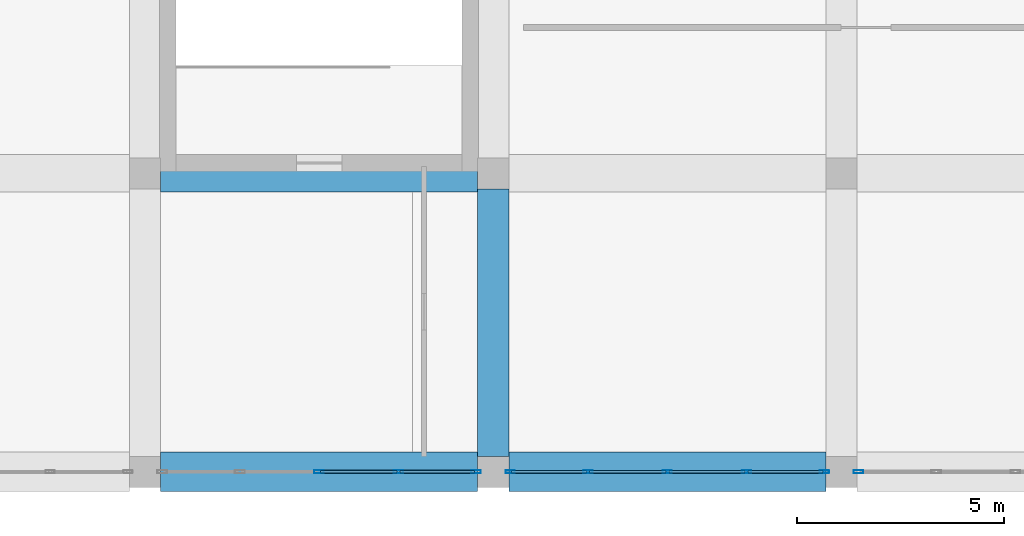
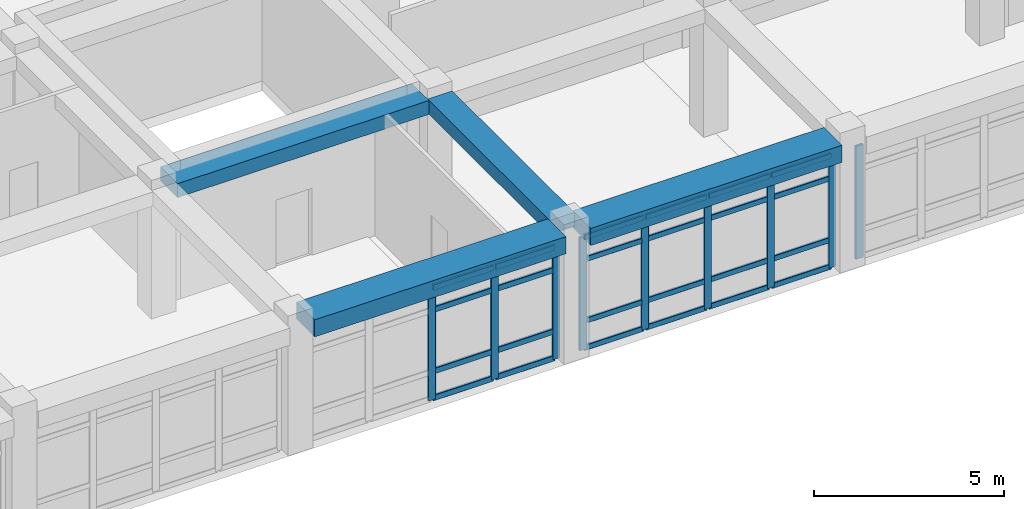
# One storey, part 17 of 121: 33 members, 4 beams, 3 elements without a shape of their own.
"""IFC4 building model written with IfcOpenShell, lengths in metres."""

from ifc_helpers import new_model, si_unit, derived_unit, direction, frame, origin, origin_2d, place, context, subcontext, project, spatial, rectangle, hollow_rectangle, extrude, material, material_profile, profile_set, type_object, element, aggregate, save


model = new_model("IFC4")

# Units and contexts
model_context = context("Model", 3, precision=1e-05, world=origin(), true_north=direction((0.0, 1.0)))
body_context = subcontext(model_context, "Body", "Model", "MODEL_VIEW")
ifc_project = project(units=[si_unit("LENGTHUNIT", "METRE"), si_unit("AREAUNIT", "SQUARE_METRE"), si_unit("VOLUMEUNIT", "CUBIC_METRE"), si_unit("PLANEANGLEUNIT", "RADIAN"), si_unit("MASSUNIT", "GRAM", prefix="KILO"), derived_unit("THERMALTRANSMITTANCEUNIT", [(si_unit("POWERUNIT", "WATT"), 1), (si_unit("LENGTHUNIT", "METRE"), -2), (si_unit("THERMODYNAMICTEMPERATUREUNIT", "KELVIN"), -1)])], contexts=[model_context])

# Site, building, storey
site_placement = place(None, origin())
site = spatial("IfcSite", under=ifc_project, at=site_placement, CompositionType="ELEMENT")
building_placement = place(site_placement, origin())
building = spatial("IfcBuilding", under=site, at=building_placement, Name="Veybourne Emporium", CompositionType="ELEMENT")
storey_placement = place(building_placement, frame((0.0, 0.0, 5.39990234375)))
storey = spatial("IfcBuildingStorey", under=building, at=storey_placement, Name="L01", CompositionType="ELEMENT", Elevation=5.39990234375)

# Curtain wall, members
ifc_material_1 = material(Name="Patinated Architectural Bronze", Category="bronze")
curtain_wall_type_1 = type_object("IfcCurtainWallType", Name="CWSystem_CWS-17", PredefinedType="NOTDEFINED", material=ifc_material_1)
curtain_wall_1_placement = place(storey_placement, origin())
curtain_wall_1 = element("IfcCurtainWall", 1, at=curtain_wall_1_placement, inside=storey, type_object=curtain_wall_type_1, Name="L01 bronze glazed curtain wall CWS-17 (043)", PredefinedType="NOTDEFINED")
ifc_material_profile_1 = material_profile(ifc_material_1, hollow_rectangle(XDim=0.072021484375, YDim=0.22509765625, WallThickness=0.0048828125, InnerFilletRadius=0.007568359375, OuterFilletRadius=0.012451171875, at=origin_2d()), Name="CWM 72x225x5")
ifc_profile_set_1 = profile_set([ifc_material_profile_1], Name="Patinated Architectural Bronze")
member_type_1 = type_object("IfcMemberType", Name="CWMullion_CW-M1", PredefinedType="MULLION", material=ifc_profile_set_1)
member_1_placement = place(storey_placement, frame((91.989013671875, 0.0, 0.0), z_axis=(0.0, 0.0, 1.0), x_axis=(0.0, -1.0, 0.0)))
member_1 = element("IfcMember", 2, at=member_1_placement, type_object=member_type_1, Name="CWS-17 mullion 1", PredefinedType="MULLION", context=body_context, shape_type="SweptSolid", body=[
    extrude(hollow_rectangle(XDim=0.072021484375, YDim=0.22509765625, WallThickness=0.0048828125, InnerFilletRadius=0.007568359375, OuterFilletRadius=0.012451171875, at=origin_2d()), origin(), (0.0, 0.0, 1.0), 3.630126953125),
])
member_2_placement = place(storey_placement, frame((90.112548828125, 0.0, 0.0), z_axis=(0.0, 0.0, 1.0), x_axis=(0.0, -1.0, 0.0)))
member_2 = element("IfcMember", 3, at=member_2_placement, type_object=member_type_1, Name="CWS-17 mullion 2", PredefinedType="MULLION", context=body_context, shape_type="SweptSolid", body=[
    extrude(hollow_rectangle(XDim=0.072021484375, YDim=0.22509765625, WallThickness=0.0048828125, InnerFilletRadius=0.007568359375, OuterFilletRadius=0.012451171875, at=origin_2d()), origin(), (0.0, 0.0, 1.0), 3.630126953125),
])
member_3_placement = place(storey_placement, frame((88.199951171875, 0.0, 0.0), z_axis=(0.0, 0.0, 1.0), x_axis=(0.0, -1.0, 0.0)))
member_3 = element("IfcMember", 4, at=member_3_placement, type_object=member_type_1, Name="CWS-17 mullion 3", PredefinedType="MULLION", context=body_context, shape_type="SweptSolid", body=[
    extrude(hollow_rectangle(XDim=0.072021484375, YDim=0.22509765625, WallThickness=0.0048828125, InnerFilletRadius=0.007568359375, OuterFilletRadius=0.012451171875, at=origin_2d()), origin(), (0.0, 0.0, 1.0), 3.630126953125),
])
member_4_placement = place(storey_placement, frame((86.28759765625, 0.0, 0.0), z_axis=(0.0, 0.0, 1.0), x_axis=(0.0, -1.0, 0.0)))
member_4 = element("IfcMember", 5, at=member_4_placement, type_object=member_type_1, Name="CWS-17 mullion 4", PredefinedType="MULLION", context=body_context, shape_type="SweptSolid", body=[
    extrude(hollow_rectangle(XDim=0.072021484375, YDim=0.22509765625, WallThickness=0.0048828125, InnerFilletRadius=0.007568359375, OuterFilletRadius=0.012451171875, at=origin_2d()), origin(), (0.0, 0.0, 1.0), 3.630126953125),
])
member_5_placement = place(storey_placement, frame((84.410888671875, 0.0, 0.0), z_axis=(0.0, 0.0, 1.0), x_axis=(0.0, -1.0, 0.0)))
member_5 = element("IfcMember", 6, at=member_5_placement, type_object=member_type_1, Name="CWS-17 mullion 5", PredefinedType="MULLION", context=body_context, shape_type="SweptSolid", body=[
    extrude(hollow_rectangle(XDim=0.072021484375, YDim=0.22509765625, WallThickness=0.0048828125, InnerFilletRadius=0.007568359375, OuterFilletRadius=0.012451171875, at=origin_2d()), origin(), (0.0, 0.0, 1.0), 3.630126953125),
])

curtain_wall_type_2 = type_object("IfcCurtainWallType", Name="CWSystem_CWS-15", PredefinedType="NOTDEFINED", material=ifc_material_1)
curtain_wall_2_placement = place(storey_placement, origin())
curtain_wall_2 = element("IfcCurtainWall", 7, at=curtain_wall_2_placement, inside=storey, type_object=curtain_wall_type_2, Name="L01 bronze glazed curtain wall CWS-15 (041)", PredefinedType="NOTDEFINED")
ifc_material_profile_2 = material_profile(ifc_material_1, hollow_rectangle(XDim=0.077880859375, YDim=0.235107421875, WallThickness=0.0048828125, InnerFilletRadius=0.007568359375, OuterFilletRadius=0.012451171875, at=origin_2d()), Name="CWM 78x235x5")
ifc_profile_set_2 = profile_set([ifc_material_profile_2], Name="Patinated Architectural Bronze")
member_type_2 = type_object("IfcMemberType", Name="CWMullion_CW-M3", PredefinedType="MULLION", material=ifc_profile_set_2)
member_6_placement = place(storey_placement, frame((83.5859375, 0.0, 0.0), z_axis=(0.0, 0.0, 1.0), x_axis=(0.0, -1.0, 0.0)))
member_6 = element("IfcMember", 8, at=member_6_placement, type_object=member_type_2, Name="CWS-15 mullion 1", PredefinedType="MULLION", context=body_context, shape_type="SweptSolid", body=[
    extrude(hollow_rectangle(XDim=0.077880859375, YDim=0.235107421875, WallThickness=0.0048828125, InnerFilletRadius=0.007568359375, OuterFilletRadius=0.012451171875, at=origin_2d()), origin(), (0.0, 0.0, 1.0), 3.630126953125),
])
member_7_placement = place(storey_placement, frame((81.71240234375, 0.0, 0.0), z_axis=(0.0, 0.0, 1.0), x_axis=(0.0, -1.0, 0.0)))
member_7 = element("IfcMember", 9, at=member_7_placement, type_object=member_type_2, Name="CWS-15 mullion 2", PredefinedType="MULLION", context=body_context, shape_type="SweptSolid", body=[
    extrude(hollow_rectangle(XDim=0.077880859375, YDim=0.235107421875, WallThickness=0.0048828125, InnerFilletRadius=0.007568359375, OuterFilletRadius=0.012451171875, at=origin_2d()), origin(), (0.0, 0.0, 1.0), 3.630126953125),
])
member_8_placement = place(storey_placement, frame((79.800048828125, 0.0, 0.0), z_axis=(0.0, 0.0, 1.0), x_axis=(0.0, -1.0, 0.0)))
member_8 = element("IfcMember", 10, at=member_8_placement, type_object=member_type_2, Name="CWS-15 mullion 3", PredefinedType="MULLION", context=body_context, shape_type="SweptSolid", body=[
    extrude(hollow_rectangle(XDim=0.077880859375, YDim=0.235107421875, WallThickness=0.0048828125, InnerFilletRadius=0.007568359375, OuterFilletRadius=0.012451171875, at=origin_2d()), origin(), (0.0, 0.0, 1.0), 3.630126953125),
])

# Curtain wall, member
curtain_wall_type_3 = type_object("IfcCurtainWallType", Name="CWSystem_CWS-19", PredefinedType="NOTDEFINED", material=ifc_material_1)
curtain_wall_3_placement = place(storey_placement, origin())
curtain_wall_3 = element("IfcCurtainWall", 11, at=curtain_wall_3_placement, inside=storey, type_object=curtain_wall_type_3, Name="L01 bronze glazed curtain wall CWS-19 (046)", PredefinedType="NOTDEFINED")
member_9_placement = place(storey_placement, frame((92.81396484375, 0.0, 0.0), z_axis=(0.0, 0.0, 1.0), x_axis=(0.0, -1.0, 0.0)))
member_9 = element("IfcMember", 12, at=member_9_placement, type_object=member_type_2, Name="CWS-19 mullion 5", PredefinedType="MULLION", context=body_context, shape_type="SweptSolid", body=[
    extrude(hollow_rectangle(XDim=0.077880859375, YDim=0.235107421875, WallThickness=0.0048828125, InnerFilletRadius=0.007568359375, OuterFilletRadius=0.012451171875, at=origin_2d()), origin(), (0.0, 0.0, 1.0), 3.630126953125),
])
aggregate(curtain_wall_3, [member_9])

# Member
ifc_material_profile_3 = material_profile(ifc_material_1, hollow_rectangle(XDim=0.072021484375, YDim=0.175048828125, WallThickness=0.0048828125, InnerFilletRadius=0.007568359375, OuterFilletRadius=0.012451171875, at=origin_2d()), Name="CWT 72x175x5")
ifc_profile_set_3 = profile_set([ifc_material_profile_3], Name="Patinated Architectural Bronze")
member_type_3 = type_object("IfcMemberType", Name="CWTransom_CW-T1", PredefinedType="NOTDEFINED", material=ifc_profile_set_3)
member_10_placement = place(storey_placement, frame((91.952880859375, 0.0, 0.0361328125), z_axis=(-1.0, 0.0, 0.0), x_axis=(0.0, -1.0, 0.0)))
member_10 = element("IfcMember", 13, at=member_10_placement, type_object=member_type_3, Name="CWS-17 transom 1.1", ObjectType="TRANSOM", PredefinedType="USERDEFINED", context=body_context, shape_type="SweptSolid", body=[
    extrude(hollow_rectangle(XDim=0.072021484375, YDim=0.175048828125, WallThickness=0.0048828125, InnerFilletRadius=0.007568359375, OuterFilletRadius=0.012451171875, at=origin_2d()), origin(), (0.0, 0.0, 1.0), 1.804443359375),
])

member_11_placement = place(storey_placement, frame((91.952880859375, 0.0, 0.900146484375), z_axis=(-1.0, 0.0, 0.0), x_axis=(0.0, -1.0, 0.0)))
member_11 = element("IfcMember", 14, at=member_11_placement, type_object=member_type_3, Name="CWS-17 transom 1.2", ObjectType="TRANSOM", PredefinedType="USERDEFINED", context=body_context, shape_type="SweptSolid", body=[
    extrude(hollow_rectangle(XDim=0.072021484375, YDim=0.175048828125, WallThickness=0.0048828125, InnerFilletRadius=0.007568359375, OuterFilletRadius=0.012451171875, at=origin_2d()), origin(), (0.0, 0.0, 1.0), 1.804443359375),
])

member_12_placement = place(storey_placement, frame((91.952880859375, 0.0, 2.880126953125), z_axis=(-1.0, 0.0, 0.0), x_axis=(0.0, -1.0, 0.0)))
member_12 = element("IfcMember", 15, at=member_12_placement, type_object=member_type_3, Name="CWS-17 transom 1.3", ObjectType="TRANSOM", PredefinedType="USERDEFINED", context=body_context, shape_type="SweptSolid", body=[
    extrude(hollow_rectangle(XDim=0.072021484375, YDim=0.175048828125, WallThickness=0.0048828125, InnerFilletRadius=0.007568359375, OuterFilletRadius=0.012451171875, at=origin_2d()), origin(), (0.0, 0.0, 1.0), 1.804443359375),
])

member_13_placement = place(storey_placement, frame((91.952880859375, 0.0, 3.593994140625), z_axis=(-1.0, 0.0, 0.0), x_axis=(0.0, -1.0, 0.0)))
member_13 = element("IfcMember", 16, at=member_13_placement, type_object=member_type_3, Name="CWS-17 transom 1.4", ObjectType="TRANSOM", PredefinedType="USERDEFINED", context=body_context, shape_type="SweptSolid", body=[
    extrude(hollow_rectangle(XDim=0.072021484375, YDim=0.175048828125, WallThickness=0.0048828125, InnerFilletRadius=0.007568359375, OuterFilletRadius=0.012451171875, at=origin_2d()), origin(), (0.0, 0.0, 1.0), 1.804443359375),
])

member_14_placement = place(storey_placement, frame((90.076416015625, 0.0, 0.0361328125), z_axis=(-1.0, 0.0, 0.0), x_axis=(0.0, -1.0, 0.0)))
member_14 = element("IfcMember", 17, at=member_14_placement, type_object=member_type_3, Name="CWS-17 transom 2.1", ObjectType="TRANSOM", PredefinedType="USERDEFINED", context=body_context, shape_type="SweptSolid", body=[
    extrude(hollow_rectangle(XDim=0.072021484375, YDim=0.175048828125, WallThickness=0.0048828125, InnerFilletRadius=0.007568359375, OuterFilletRadius=0.012451171875, at=origin_2d()), origin(), (0.0, 0.0, 1.0), 1.84033203125),
])

member_15_placement = place(storey_placement, frame((90.076416015625, 0.0, 0.900146484375), z_axis=(-1.0, 0.0, 0.0), x_axis=(0.0, -1.0, 0.0)))
member_15 = element("IfcMember", 18, at=member_15_placement, type_object=member_type_3, Name="CWS-17 transom 2.2", ObjectType="TRANSOM", PredefinedType="USERDEFINED", context=body_context, shape_type="SweptSolid", body=[
    extrude(hollow_rectangle(XDim=0.072021484375, YDim=0.175048828125, WallThickness=0.0048828125, InnerFilletRadius=0.007568359375, OuterFilletRadius=0.012451171875, at=origin_2d()), origin(), (0.0, 0.0, 1.0), 1.84033203125),
])

member_16_placement = place(storey_placement, frame((90.076416015625, 0.0, 2.880126953125), z_axis=(-1.0, 0.0, 0.0), x_axis=(0.0, -1.0, 0.0)))
member_16 = element("IfcMember", 19, at=member_16_placement, type_object=member_type_3, Name="CWS-17 transom 2.3", ObjectType="TRANSOM", PredefinedType="USERDEFINED", context=body_context, shape_type="SweptSolid", body=[
    extrude(hollow_rectangle(XDim=0.072021484375, YDim=0.175048828125, WallThickness=0.0048828125, InnerFilletRadius=0.007568359375, OuterFilletRadius=0.012451171875, at=origin_2d()), origin(), (0.0, 0.0, 1.0), 1.84033203125),
])

member_17_placement = place(storey_placement, frame((90.076416015625, 0.0, 3.593994140625), z_axis=(-1.0, 0.0, 0.0), x_axis=(0.0, -1.0, 0.0)))
member_17 = element("IfcMember", 20, at=member_17_placement, type_object=member_type_3, Name="CWS-17 transom 2.4", ObjectType="TRANSOM", PredefinedType="USERDEFINED", context=body_context, shape_type="SweptSolid", body=[
    extrude(hollow_rectangle(XDim=0.072021484375, YDim=0.175048828125, WallThickness=0.0048828125, InnerFilletRadius=0.007568359375, OuterFilletRadius=0.012451171875, at=origin_2d()), origin(), (0.0, 0.0, 1.0), 1.84033203125),
])

member_18_placement = place(storey_placement, frame((88.1640625, 0.0, 0.0361328125), z_axis=(-1.0, 0.0, 0.0), x_axis=(0.0, -1.0, 0.0)))
member_18 = element("IfcMember", 21, at=member_18_placement, type_object=member_type_3, Name="CWS-17 transom 3.1", ObjectType="TRANSOM", PredefinedType="USERDEFINED", context=body_context, shape_type="SweptSolid", body=[
    extrude(hollow_rectangle(XDim=0.072021484375, YDim=0.175048828125, WallThickness=0.0048828125, InnerFilletRadius=0.007568359375, OuterFilletRadius=0.012451171875, at=origin_2d()), origin(), (0.0, 0.0, 1.0), 1.840576171875),
])

member_19_placement = place(storey_placement, frame((88.1640625, 0.0, 0.900146484375), z_axis=(-1.0, 0.0, 0.0), x_axis=(0.0, -1.0, 0.0)))
member_19 = element("IfcMember", 22, at=member_19_placement, type_object=member_type_3, Name="CWS-17 transom 3.2", ObjectType="TRANSOM", PredefinedType="USERDEFINED", context=body_context, shape_type="SweptSolid", body=[
    extrude(hollow_rectangle(XDim=0.072021484375, YDim=0.175048828125, WallThickness=0.0048828125, InnerFilletRadius=0.007568359375, OuterFilletRadius=0.012451171875, at=origin_2d()), origin(), (0.0, 0.0, 1.0), 1.840576171875),
])

member_20_placement = place(storey_placement, frame((88.1640625, 0.0, 2.880126953125), z_axis=(-1.0, 0.0, 0.0), x_axis=(0.0, -1.0, 0.0)))
member_20 = element("IfcMember", 23, at=member_20_placement, type_object=member_type_3, Name="CWS-17 transom 3.3", ObjectType="TRANSOM", PredefinedType="USERDEFINED", context=body_context, shape_type="SweptSolid", body=[
    extrude(hollow_rectangle(XDim=0.072021484375, YDim=0.175048828125, WallThickness=0.0048828125, InnerFilletRadius=0.007568359375, OuterFilletRadius=0.012451171875, at=origin_2d()), origin(), (0.0, 0.0, 1.0), 1.840576171875),
])

member_21_placement = place(storey_placement, frame((88.1640625, 0.0, 3.593994140625), z_axis=(-1.0, 0.0, 0.0), x_axis=(0.0, -1.0, 0.0)))
member_21 = element("IfcMember", 24, at=member_21_placement, type_object=member_type_3, Name="CWS-17 transom 3.4", ObjectType="TRANSOM", PredefinedType="USERDEFINED", context=body_context, shape_type="SweptSolid", body=[
    extrude(hollow_rectangle(XDim=0.072021484375, YDim=0.175048828125, WallThickness=0.0048828125, InnerFilletRadius=0.007568359375, OuterFilletRadius=0.012451171875, at=origin_2d()), origin(), (0.0, 0.0, 1.0), 1.840576171875),
])

member_22_placement = place(storey_placement, frame((86.25146484375, 0.0, 0.0361328125), z_axis=(-1.0, 0.0, 0.0), x_axis=(0.0, -1.0, 0.0)))
member_22 = element("IfcMember", 25, at=member_22_placement, type_object=member_type_3, Name="CWS-17 transom 4.1", ObjectType="TRANSOM", PredefinedType="USERDEFINED", context=body_context, shape_type="SweptSolid", body=[
    extrude(hollow_rectangle(XDim=0.072021484375, YDim=0.175048828125, WallThickness=0.0048828125, InnerFilletRadius=0.007568359375, OuterFilletRadius=0.012451171875, at=origin_2d()), origin(), (0.0, 0.0, 1.0), 1.804443359375),
])

member_23_placement = place(storey_placement, frame((86.25146484375, 0.0, 0.900146484375), z_axis=(-1.0, 0.0, 0.0), x_axis=(0.0, -1.0, 0.0)))
member_23 = element("IfcMember", 26, at=member_23_placement, type_object=member_type_3, Name="CWS-17 transom 4.2", ObjectType="TRANSOM", PredefinedType="USERDEFINED", context=body_context, shape_type="SweptSolid", body=[
    extrude(hollow_rectangle(XDim=0.072021484375, YDim=0.175048828125, WallThickness=0.0048828125, InnerFilletRadius=0.007568359375, OuterFilletRadius=0.012451171875, at=origin_2d()), origin(), (0.0, 0.0, 1.0), 1.804443359375),
])

member_24_placement = place(storey_placement, frame((86.25146484375, 0.0, 2.880126953125), z_axis=(-1.0, 0.0, 0.0), x_axis=(0.0, -1.0, 0.0)))
member_24 = element("IfcMember", 27, at=member_24_placement, type_object=member_type_3, Name="CWS-17 transom 4.3", ObjectType="TRANSOM", PredefinedType="USERDEFINED", context=body_context, shape_type="SweptSolid", body=[
    extrude(hollow_rectangle(XDim=0.072021484375, YDim=0.175048828125, WallThickness=0.0048828125, InnerFilletRadius=0.007568359375, OuterFilletRadius=0.012451171875, at=origin_2d()), origin(), (0.0, 0.0, 1.0), 1.804443359375),
])

member_25_placement = place(storey_placement, frame((86.25146484375, 0.0, 3.593994140625), z_axis=(-1.0, 0.0, 0.0), x_axis=(0.0, -1.0, 0.0)))
member_25 = element("IfcMember", 28, at=member_25_placement, type_object=member_type_3, Name="CWS-17 transom 4.4", ObjectType="TRANSOM", PredefinedType="USERDEFINED", context=body_context, shape_type="SweptSolid", body=[
    extrude(hollow_rectangle(XDim=0.072021484375, YDim=0.175048828125, WallThickness=0.0048828125, InnerFilletRadius=0.007568359375, OuterFilletRadius=0.012451171875, at=origin_2d()), origin(), (0.0, 0.0, 1.0), 1.804443359375),
])

aggregate(curtain_wall_1, [member_1, member_2, member_3, member_4, member_5, member_10, member_11, member_12, member_13, member_14, member_15, member_16, member_17, member_18, member_19, member_20, member_21, member_22, member_23, member_24, member_25])

ifc_material_profile_4 = material_profile(ifc_material_1, hollow_rectangle(XDim=0.077880859375, YDim=0.18505859375, WallThickness=0.0048828125, InnerFilletRadius=0.007568359375, OuterFilletRadius=0.012451171875, at=origin_2d()), Name="CWT 78x185x5")
ifc_profile_set_4 = profile_set([ifc_material_profile_4], Name="Patinated Architectural Bronze")
member_type_4 = type_object("IfcMemberType", Name="CWTransom_CW-T3", PredefinedType="NOTDEFINED", material=ifc_profile_set_4)
member_26_placement = place(storey_placement, frame((83.547119140625, 0.0, 0.0390625), z_axis=(-1.0, 0.0, 0.0), x_axis=(0.0, -1.0, 0.0)))
member_26 = element("IfcMember", 29, at=member_26_placement, type_object=member_type_4, Name="CWS-15 transom 1.1", ObjectType="TRANSOM", PredefinedType="USERDEFINED", context=body_context, shape_type="SweptSolid", body=[
    extrude(hollow_rectangle(XDim=0.077880859375, YDim=0.18505859375, WallThickness=0.0048828125, InnerFilletRadius=0.007568359375, OuterFilletRadius=0.012451171875, at=origin_2d()), origin(), (0.0, 0.0, 1.0), 1.795654296875),
])

member_27_placement = place(storey_placement, frame((83.547119140625, 0.0, 0.900146484375), z_axis=(-1.0, 0.0, 0.0), x_axis=(0.0, -1.0, 0.0)))
member_27 = element("IfcMember", 30, at=member_27_placement, type_object=member_type_4, Name="CWS-15 transom 1.2", ObjectType="TRANSOM", PredefinedType="USERDEFINED", context=body_context, shape_type="SweptSolid", body=[
    extrude(hollow_rectangle(XDim=0.077880859375, YDim=0.18505859375, WallThickness=0.0048828125, InnerFilletRadius=0.007568359375, OuterFilletRadius=0.012451171875, at=origin_2d()), origin(), (0.0, 0.0, 1.0), 1.795654296875),
])

member_28_placement = place(storey_placement, frame((83.547119140625, 0.0, 2.880126953125), z_axis=(-1.0, 0.0, 0.0), x_axis=(0.0, -1.0, 0.0)))
member_28 = element("IfcMember", 31, at=member_28_placement, type_object=member_type_4, Name="CWS-15 transom 1.3", ObjectType="TRANSOM", PredefinedType="USERDEFINED", context=body_context, shape_type="SweptSolid", body=[
    extrude(hollow_rectangle(XDim=0.077880859375, YDim=0.18505859375, WallThickness=0.0048828125, InnerFilletRadius=0.007568359375, OuterFilletRadius=0.012451171875, at=origin_2d()), origin(), (0.0, 0.0, 1.0), 1.795654296875),
])

member_29_placement = place(storey_placement, frame((83.547119140625, 0.0, 3.591064453125), z_axis=(-1.0, 0.0, 0.0), x_axis=(0.0, -1.0, 0.0)))
member_29 = element("IfcMember", 32, at=member_29_placement, type_object=member_type_4, Name="CWS-15 transom 1.4", ObjectType="TRANSOM", PredefinedType="USERDEFINED", context=body_context, shape_type="SweptSolid", body=[
    extrude(hollow_rectangle(XDim=0.077880859375, YDim=0.18505859375, WallThickness=0.0048828125, InnerFilletRadius=0.007568359375, OuterFilletRadius=0.012451171875, at=origin_2d()), origin(), (0.0, 0.0, 1.0), 1.795654296875),
])

member_30_placement = place(storey_placement, frame((81.673583984375, 0.0, 0.0390625), z_axis=(-1.0, 0.0, 0.0), x_axis=(0.0, -1.0, 0.0)))
member_30 = element("IfcMember", 33, at=member_30_placement, type_object=member_type_4, Name="CWS-15 transom 2.1", ObjectType="TRANSOM", PredefinedType="USERDEFINED", context=body_context, shape_type="SweptSolid", body=[
    extrude(hollow_rectangle(XDim=0.077880859375, YDim=0.18505859375, WallThickness=0.0048828125, InnerFilletRadius=0.007568359375, OuterFilletRadius=0.012451171875, at=origin_2d()), origin(), (0.0, 0.0, 1.0), 1.83447265625),
])

member_31_placement = place(storey_placement, frame((81.673583984375, 0.0, 0.900146484375), z_axis=(-1.0, 0.0, 0.0), x_axis=(0.0, -1.0, 0.0)))
member_31 = element("IfcMember", 34, at=member_31_placement, type_object=member_type_4, Name="CWS-15 transom 2.2", ObjectType="TRANSOM", PredefinedType="USERDEFINED", context=body_context, shape_type="SweptSolid", body=[
    extrude(hollow_rectangle(XDim=0.077880859375, YDim=0.18505859375, WallThickness=0.0048828125, InnerFilletRadius=0.007568359375, OuterFilletRadius=0.012451171875, at=origin_2d()), origin(), (0.0, 0.0, 1.0), 1.83447265625),
])

member_32_placement = place(storey_placement, frame((81.673583984375, 0.0, 2.880126953125), z_axis=(-1.0, 0.0, 0.0), x_axis=(0.0, -1.0, 0.0)))
member_32 = element("IfcMember", 35, at=member_32_placement, type_object=member_type_4, Name="CWS-15 transom 2.3", ObjectType="TRANSOM", PredefinedType="USERDEFINED", context=body_context, shape_type="SweptSolid", body=[
    extrude(hollow_rectangle(XDim=0.077880859375, YDim=0.18505859375, WallThickness=0.0048828125, InnerFilletRadius=0.007568359375, OuterFilletRadius=0.012451171875, at=origin_2d()), origin(), (0.0, 0.0, 1.0), 1.83447265625),
])

member_33_placement = place(storey_placement, frame((81.673583984375, 0.0, 3.591064453125), z_axis=(-1.0, 0.0, 0.0), x_axis=(0.0, -1.0, 0.0)))
member_33 = element("IfcMember", 36, at=member_33_placement, type_object=member_type_4, Name="CWS-15 transom 2.4", ObjectType="TRANSOM", PredefinedType="USERDEFINED", context=body_context, shape_type="SweptSolid", body=[
    extrude(hollow_rectangle(XDim=0.077880859375, YDim=0.18505859375, WallThickness=0.0048828125, InnerFilletRadius=0.007568359375, OuterFilletRadius=0.012451171875, at=origin_2d()), origin(), (0.0, 0.0, 1.0), 1.83447265625),
])

aggregate(curtain_wall_2, [member_6, member_7, member_8, member_26, member_27, member_28, member_29, member_30, member_31, member_32, member_33])

# Beams
ifc_material_2 = material(Name="Concrete C32/40", Category="concrete")
ifc_material_profile_5 = material_profile(ifc_material_2, rectangle(XDim=0.89990234375, YDim=0.449951171875, at=origin_2d()), Name="RC 900x450")
ifc_profile_set_5 = profile_set([ifc_material_profile_5], Name="Concrete C32/40")
beam_type_1 = type_object("IfcBeamType", Name="RCBeam_BB-03", PredefinedType="BEAM", material=ifc_profile_set_5)
beam_1_placement = place(storey_placement, frame((75.97509765625, 7.199951171875, 3.955078125), z_axis=(1.0, 0.0, 0.0), x_axis=(0.0, 1.0, 0.0)))
element("IfcBeam", 37, at=beam_1_placement, inside=storey, type_object=beam_type_1, Name="L01 X-grid beam BB-03 (9,1)", PredefinedType="BEAM", context=body_context, shape_type="SweptSolid", body=[
    extrude(rectangle(XDim=0.89990234375, YDim=0.449951171875, at=origin_2d()), origin(), (0.0, 0.0, 1.0), 7.64990234375),
])
ifc_material_profile_6 = material_profile(ifc_material_2, rectangle(XDim=0.75, YDim=0.449951171875, at=origin_2d()), Name="RC 750x450")
ifc_profile_set_6 = profile_set([ifc_material_profile_6], Name="Concrete C32/40")
beam_type_2 = type_object("IfcBeamType", Name="RCBeam_BB-04", PredefinedType="BEAM", material=ifc_profile_set_6)
beam_2_placement = place(storey_placement, frame((84.0, 0.375, 3.955078125), z_axis=(0.0, 1.0, 0.0), x_axis=(-1.0, 0.0, 0.0)))
element("IfcBeam", 38, at=beam_2_placement, inside=storey, type_object=beam_type_2, Name="L01 Y-grid beam BB-04 (10,0)", PredefinedType="BEAM", context=body_context, shape_type="SweptSolid", body=[
    extrude(rectangle(XDim=0.75, YDim=0.449951171875, at=origin_2d()), origin(), (0.0, 0.0, 1.0), 6.449951171875),
])
ifc_material_profile_7 = material_profile(ifc_material_2, rectangle(XDim=0.949951171875, YDim=0.550048828125, at=origin_2d()), Name="RC 950x550")
ifc_profile_set_7 = profile_set([ifc_material_profile_7], Name="Concrete C32/40")
beam_type_3 = type_object("IfcBeamType", Name="RCBeam_EB-01", PredefinedType="SPANDREL", material=ifc_profile_set_7)
for number, where, z_axis, x_axis, name in (
    (39, (75.97509765625, 0.0, 3.905029296875), (1.0, 0.0, 0.0), (0.0, 1.0, 0.0), "L01 X-grid beam EB-01 (9,0)"),
    (40, (84.375, 0.0, 3.905029296875), (1.0, 0.0, 0.0), (0.0, 1.0, 0.0), "L01 X-grid beam EB-01 (10,0)"),
):
    element("IfcBeam", number, at=place(storey_placement, frame(where, z_axis=z_axis, x_axis=x_axis)), inside=storey, type_object=beam_type_3, Name=name, PredefinedType="SPANDREL", context=body_context, shape_type="SweptSolid", body=[
        extrude(rectangle(XDim=0.949951171875, YDim=0.550048828125, at=origin_2d()), origin(), (0.0, 0.0, 1.0), 7.64990234375),
    ])

save(model, "model.ifc")
